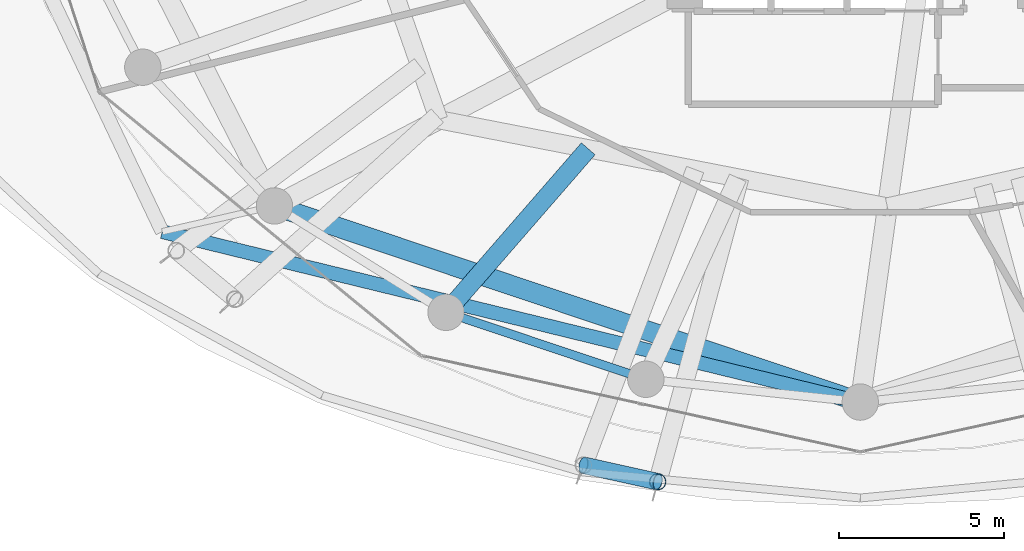
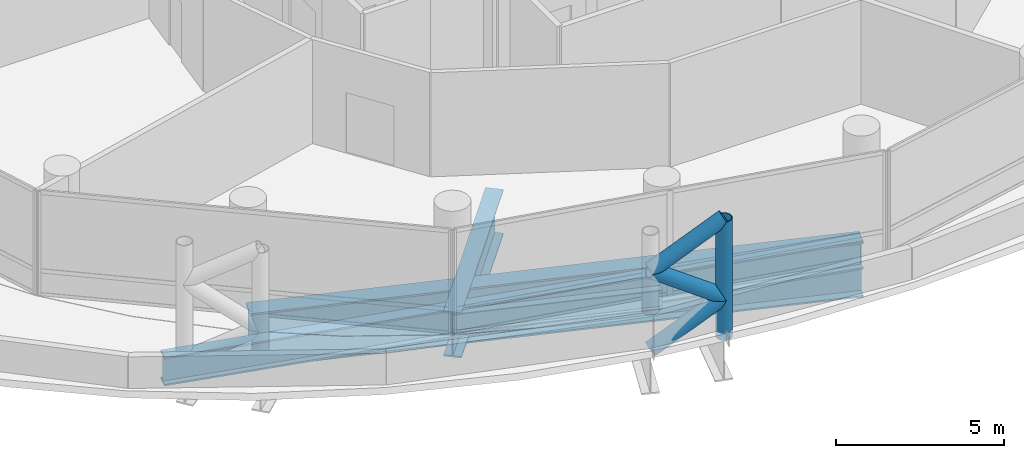
# One storey, part 5 of 37: 4 beams, 4 members.
"""IFC4 building model written with IfcOpenShell, lengths in metres."""

from ifc_helpers import new_model, si_unit, direction, frame, origin, origin_2d, place, context, subcontext, project, spatial, hollow_circle, i_section, extrude, material, material_profile, profile_set, type_object, element, save


model = new_model("IFC4")

# Units and contexts
model_context = context("Model", 3, precision=1e-05, world=origin(), true_north=direction((0.0, 1.0)))
body_context = subcontext(model_context, "Body", "Model", "MODEL_VIEW")
ifc_project = project(units=[si_unit("LENGTHUNIT", "METRE"), si_unit("AREAUNIT", "SQUARE_METRE"), si_unit("VOLUMEUNIT", "CUBIC_METRE"), si_unit("PLANEANGLEUNIT", "RADIAN"), si_unit("MASSUNIT", "GRAM", prefix="KILO")], contexts=[model_context])

# Site, building, storey
site_placement = place(None, origin())
site = spatial("IfcSite", under=ifc_project, at=site_placement, CompositionType="ELEMENT")
building_placement = place(site_placement, origin())
building = spatial("IfcBuilding", under=site, at=building_placement, Name="Nuhasar Tower", CompositionType="ELEMENT")
storey_placement = place(building_placement, frame((0.0, 0.0, 21.0)))
storey = spatial("IfcBuildingStorey", under=building, at=storey_placement, Name="L04", CompositionType="ELEMENT", Elevation=21.0)

# Beams
ifc_material_1 = material(Name="Steel S355", Category="steel")
ifc_material_profile_1 = material_profile(ifc_material_1, i_section(OverallWidth=0.256103515625, OverallDepth=0.693115234375, WebThickness=0.014404296875, FlangeThickness=0.023681640625, at=origin_2d()), Name="W27X114")
ifc_profile_set_1 = profile_set([ifc_material_profile_1], Name="Steel S355")
beam_type_1 = type_object("IfcBeamType", Name="BM-RING-W27X114", PredefinedType="SPANDREL", material=ifc_profile_set_1)
beam_1_placement = place(storey_placement, frame((26.47509765625, 9.262939453125, -0.60693359375), z_axis=(0.94826097201, -0.317491935271, 0.0), x_axis=(0.317491935271, 0.94826097201, 0.0)))
element("IfcBeam", 1, at=beam_1_placement, inside=storey, type_object=beam_type_1, Name="L04 Perimeter Ring Spandrel 17", PredefinedType="SPANDREL", context=body_context, shape_type="SweptSolid", body=[
    extrude(i_section(OverallWidth=0.256103515625, OverallDepth=0.693115234375, WebThickness=0.014404296875, FlangeThickness=0.023681640625, at=origin_2d()), origin(), (0.0, 0.0, 1.0), 6.37158203125),
])
ifc_material_2 = material(Name="Steel S460", Category="steel")
ifc_material_profile_2 = material_profile(ifc_material_2, i_section(OverallWidth=0.550048828125, OverallDepth=1.64990234375, WebThickness=0.031982421875, FlangeThickness=0.054931640625, at=origin_2d()), Name="PG1650X550")
ifc_profile_set_2 = profile_set([ifc_material_profile_2], Name="Steel S460")
beam_type_2 = type_object("IfcBeamType", Name="BM-XFER-PG1650", PredefinedType="USERDEFINED", material=ifc_profile_set_2)
beam_2_placement = place(storey_placement, frame((30.77490234375, 14.208984375, -1.0849609375), z_axis=(-0.656082792658, -0.754688922125, 0.0), x_axis=(0.754688922125, -0.656082792658, 0.0)))
element("IfcBeam", 2, at=beam_2_placement, inside=storey, type_object=beam_type_2, Name="L04 Inner Column Transfer Girder 17", ObjectType="GIRDER", PredefinedType="USERDEFINED", context=body_context, shape_type="SweptSolid", body=[
    extrude(i_section(OverallWidth=0.550048828125, OverallDepth=1.64990234375, WebThickness=0.031982421875, FlangeThickness=0.054931640625, at=origin_2d()), origin(), (0.0, 0.0, 1.0), 6.5537109375),
])
ifc_material_profile_3 = material_profile(ifc_material_2, i_section(OverallWidth=0.60009765625, OverallDepth=2.0, WebThickness=0.035888671875, FlangeThickness=0.06005859375, at=origin_2d()), Name="PG2000X600")
ifc_profile_set_3 = profile_set([ifc_material_profile_3], Name="Steel S460")
beam_type_3 = type_object("IfcBeamType", Name="BM-XFER-PG2000", PredefinedType="USERDEFINED", material=ifc_profile_set_3)
beam_3_placement = place(storey_placement, frame((21.287109375, 12.48095703125, -1.260009765625), z_axis=(0.948255042429, -0.317509644748, 0.0), x_axis=(0.317509644748, 0.948255042429, 0.0)))
element("IfcBeam", 3, at=beam_3_placement, inside=storey, type_object=beam_type_3, Name="L04 Podium-to-Tower Transfer Chord 01", ObjectType="GIRDER", PredefinedType="USERDEFINED", context=body_context, shape_type="SweptSolid", body=[
    extrude(i_section(OverallWidth=0.60009765625, OverallDepth=2.0, WebThickness=0.035888671875, FlangeThickness=0.06005859375, at=origin_2d()), origin(), (0.0, 0.0, 1.0), 18.679443359375),
])
ifc_material_profile_4 = material_profile(ifc_material_2, i_section(OverallWidth=0.419921875, OverallDepth=1.0400390625, WebThickness=0.031005859375, FlangeThickness=0.055908203125, at=origin_2d()), Name="W40X397")
ifc_profile_set_4 = profile_set([ifc_material_profile_4], Name="Steel S460")
beam_type_4 = type_object("IfcBeamType", Name="BM-XFER-W40X397", PredefinedType="USERDEFINED", material=ifc_profile_set_4)
beam_4_placement = place(storey_placement, frame((17.89306640625, 11.702880859375, -0.780029296875), z_axis=(0.971469463574, -0.237164671365, 0.0), x_axis=(0.237164671365, 0.971469463574, 0.0)))
element("IfcBeam", 4, at=beam_4_placement, inside=storey, type_object=beam_type_4, Name="L04 Podium Ring Girder 01", ObjectType="GIRDER", PredefinedType="USERDEFINED", context=body_context, shape_type="SweptSolid", body=[
    extrude(i_section(OverallWidth=0.419921875, OverallDepth=1.0400390625, WebThickness=0.031005859375, FlangeThickness=0.055908203125, at=origin_2d()), origin(), (0.0, 0.0, 1.0), 21.726806640625),
])

# Members
ifc_material_profile_5 = material_profile(ifc_material_2, hollow_circle(Radius=0.25390625, WallThickness=0.025390625, at=origin_2d()), Name="HSS508X25.4")
ifc_profile_set_5 = profile_set([ifc_material_profile_5], Name="Steel S460")
member_type = type_object("IfcMemberType", Name="EXO-BRONZE-508", PredefinedType="BRACE", material=ifc_profile_set_5)
member_1_placement = place(storey_placement, frame((32.8759765625, 4.14111328125, -0.260009765625), z_axis=(0.0, 0.0, 1.0), x_axis=(1.0, 0.0, 0.0)))
element("IfcMember", 5, at=member_1_placement, inside=storey, type_object=member_type, Name="L04 Exoskeleton Chord Column EC-09B", PredefinedType="BRACE", context=body_context, shape_type="SweptSolid", body=[
    extrude(hollow_circle(Radius=0.25390625, WallThickness=0.025390625, at=origin_2d()), origin(), (0.0, 0.0, 1.0), 4.31005859375),
])
member_2_placement = place(storey_placement, frame((30.6298828125, 4.639892578125, -0.260009765625), z_axis=(0.827993109263, -0.183868469807, 0.529735591426), x_axis=(0.216784396973, 0.976219506683, 0.0)))
element("IfcMember", 6, at=member_2_placement, inside=storey, type_object=member_type, Name="L04 Bronze Diagrid Brace W1-09", PredefinedType="BRACE", context=body_context, shape_type="SweptSolid", body=[
    extrude(hollow_circle(Radius=0.25390625, WallThickness=0.025390625, at=origin_2d()), origin(), (0.0, 0.0, 1.0), 2.712646484375),
])
member_3_placement = place(storey_placement, frame((32.8759765625, 4.14111328125, 1.177001953125), z_axis=(-0.828151001719, 0.18390353223, 0.529476542621), x_axis=(-0.216784396973, -0.976219506683, 0.0)))
element("IfcMember", 7, at=member_3_placement, inside=storey, type_object=member_type, Name="L04 Bronze Diagrid Brace W2-09", PredefinedType="BRACE", context=body_context, shape_type="SweptSolid", body=[
    extrude(hollow_circle(Radius=0.25390625, WallThickness=0.025390625, at=origin_2d()), origin(), (0.0, 0.0, 1.0), 2.712158203125),
])
member_4_placement = place(storey_placement, frame((30.6298828125, 4.639892578125, 2.613037109375), z_axis=(0.827993109263, -0.183868469807, 0.529735591426), x_axis=(0.216784396973, 0.976219506683, 0.0)))
element("IfcMember", 8, at=member_4_placement, inside=storey, type_object=member_type, Name="L04 Bronze Diagrid Brace W3-09", PredefinedType="BRACE", context=body_context, shape_type="SweptSolid", body=[
    extrude(hollow_circle(Radius=0.25390625, WallThickness=0.025390625, at=origin_2d()), origin(), (0.0, 0.0, 1.0), 2.712646484375),
])

save(model, "model.ifc")
